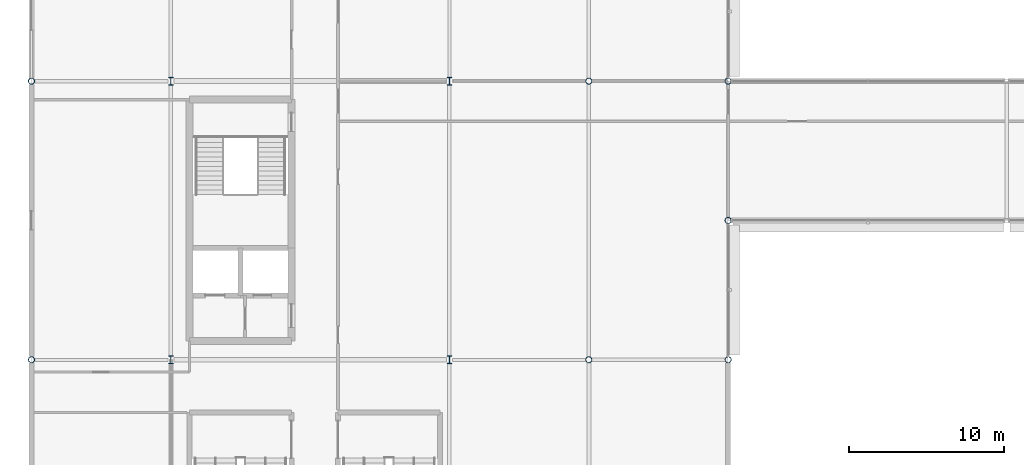
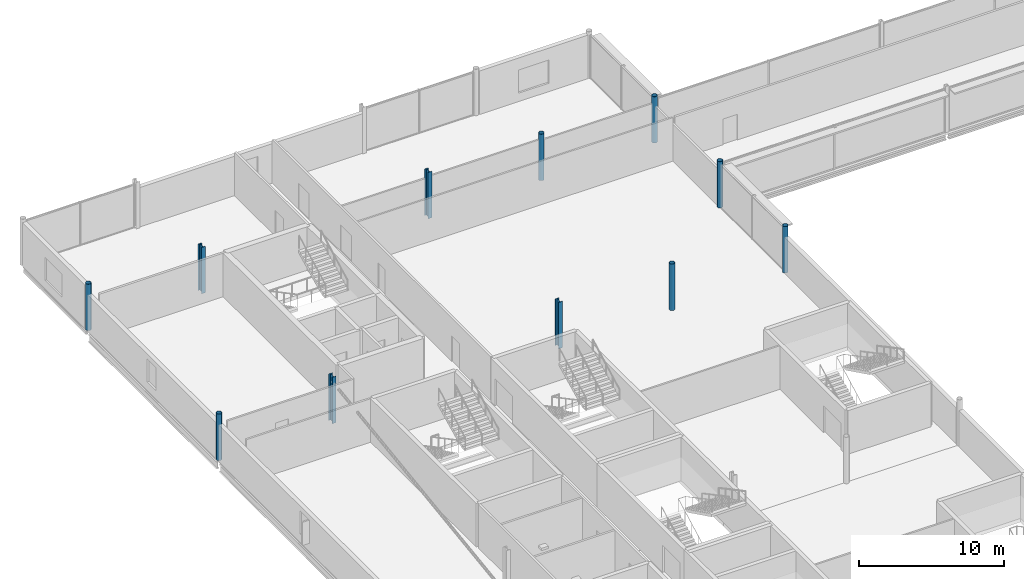
# One storey, part 5 of 96: 11 columns.
"""IFC4 building model written with IfcOpenShell, lengths in metres."""

from ifc_helpers import new_model, si_unit, direction, frame, origin, origin_2d, place, context, subcontext, project, spatial, hollow_circle, i_section, extrude, material, material_profile, profile_set, type_object, element, save


model = new_model("IFC4")

# Units and contexts
model_context = context("Model", 3, precision=1e-05, world=origin(), true_north=direction((0.0, 1.0)))
body_context = subcontext(model_context, "Body", "Model", "MODEL_VIEW")
ifc_project = project(units=[si_unit("LENGTHUNIT", "METRE"), si_unit("AREAUNIT", "SQUARE_METRE"), si_unit("VOLUMEUNIT", "CUBIC_METRE"), si_unit("PLANEANGLEUNIT", "RADIAN"), si_unit("MASSUNIT", "GRAM", prefix="KILO")], contexts=[model_context])

# Site, building, storey
site_placement = place(None, origin())
site = spatial("IfcSite", under=ifc_project, at=site_placement, CompositionType="ELEMENT")
building_placement = place(site_placement, origin())
building = spatial("IfcBuilding", under=site, at=building_placement, Name="Kisiwana Market Hall", CompositionType="ELEMENT")
storey_placement = place(building_placement, frame((0.0, 0.0, 25.5)))
storey = spatial("IfcBuildingStorey", under=building, at=storey_placement, Name="L05", CompositionType="ELEMENT", Elevation=25.5)

# Columns
ifc_material_1 = material(Name="Steel S355", Category="steel")
ifc_material_profile_1 = material_profile(ifc_material_1, hollow_circle(Radius=0.203125, WallThickness=0.01611328125, at=origin_2d()), Name="CHS 406.4x16")
ifc_profile_set_1 = profile_set([ifc_material_profile_1], Name="Steel S355")
column_type_1 = type_object("IfcColumnType", Name="COL-STL-CHS406", PredefinedType="COLUMN", material=ifc_profile_set_1)
for number, where, z_axis, x_axis, name in (
    (1, (0.0, 84.0, 0.0), (0.0, 0.0, 1.0), (1.0, 0.0, 0.0), "Column L/1 (L05) C-0886"),
    (2, (0.0, 102.0, 0.0), (0.0, 0.0, 1.0), (1.0, 0.0, 0.0), "Column N/1 (L05) C-0887"),
    (3, (36.0, 84.0, 0.0), (0.0, 0.0, 1.0), (1.0, 0.0, 0.0), "Column L/5 (L05) C-0905"),
    (4, (36.0, 102.0, 0.0), (0.0, 0.0, 1.0), (1.0, 0.0, 0.0), "Column N/5 (L05) C-0906"),
    (5, (45.0, 84.0, 0.0), (0.0, 0.0, 1.0), (1.0, 0.0, 0.0), "Column L/6 (L05) C-0913"),
    (6, (45.0, 93.0, 0.0), (0.0, 0.0, 1.0), (1.0, 0.0, 0.0), "Column M/6 (L05) C-0914"),
    (7, (45.0, 102.0, 0.0), (0.0, 0.0, 1.0), (1.0, 0.0, 0.0), "Column N/6 (L05) C-0915"),
):
    element("IfcColumn", number, at=place(storey_placement, frame(where, z_axis=z_axis, x_axis=x_axis)), inside=storey, type_object=column_type_1, Name=name, PredefinedType="COLUMN", context=body_context, shape_type="SweptSolid", body=[
        extrude(hollow_circle(Radius=0.203125, WallThickness=0.01611328125, at=origin_2d()), origin(), (0.0, 0.0, 1.0), 3.89990234375),
    ])
ifc_material_2 = material(Name="Steel S355", Category="steel")
ifc_material_profile_2 = material_profile(ifc_material_2, i_section(OverallWidth=0.300048828125, OverallDepth=0.5, WebThickness=0.014404296875, FlangeThickness=0.028076171875, FilletRadius=0.027099609375, at=origin_2d()), Name="HEB 500")
ifc_profile_set_2 = profile_set([ifc_material_profile_2], Name="Steel S355")
column_type_2 = type_object("IfcColumnType", Name="COL-STL-HEB500", PredefinedType="COLUMN", material=ifc_profile_set_2)
for number, where, z_axis, x_axis, name in (
    (8, (9.0, 84.0, 0.0), (0.0, 0.0, 1.0), (1.0, 0.0, 0.0), "Column L/2 (L05) C-0892"),
    (9, (9.0, 102.0, 0.0), (0.0, 0.0, 1.0), (1.0, 0.0, 0.0), "Column N/2 (L05) C-0893"),
    (10, (27.0, 84.0, 0.0), (0.0, 0.0, 1.0), (1.0, 0.0, 0.0), "Column L/4 (L05) C-0899"),
    (11, (27.0, 102.0, 0.0), (0.0, 0.0, 1.0), (1.0, 0.0, 0.0), "Column N/4 (L05) C-0900"),
):
    element("IfcColumn", number, at=place(storey_placement, frame(where, z_axis=z_axis, x_axis=x_axis)), inside=storey, type_object=column_type_2, Name=name, PredefinedType="COLUMN", context=body_context, shape_type="SweptSolid", body=[
        extrude(i_section(OverallWidth=0.300048828125, OverallDepth=0.5, WebThickness=0.014404296875, FlangeThickness=0.028076171875, FilletRadius=0.027099609375, at=origin_2d()), origin(), (0.0, 0.0, 1.0), 3.89990234375),
    ])

save(model, "model.ifc")
